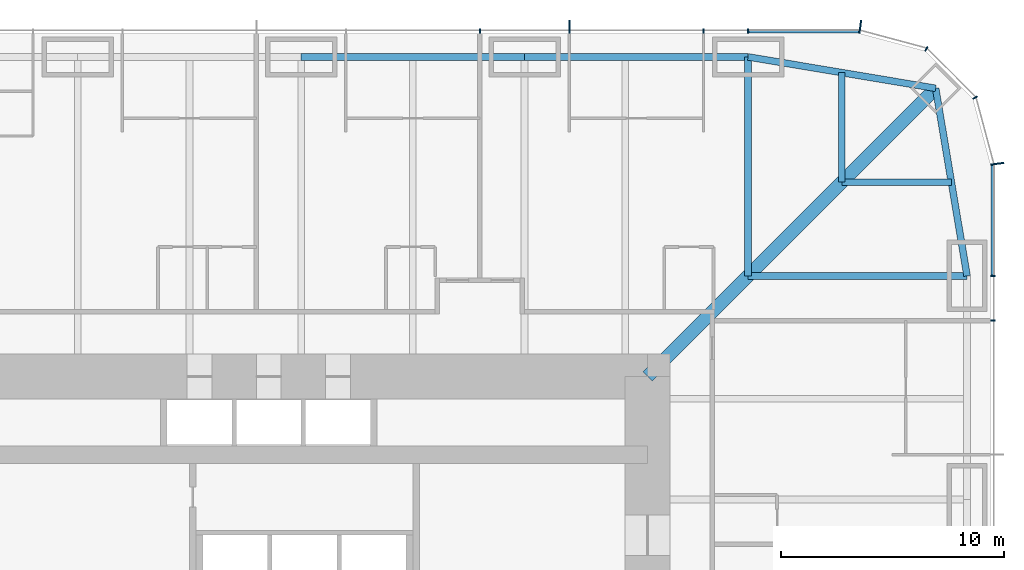
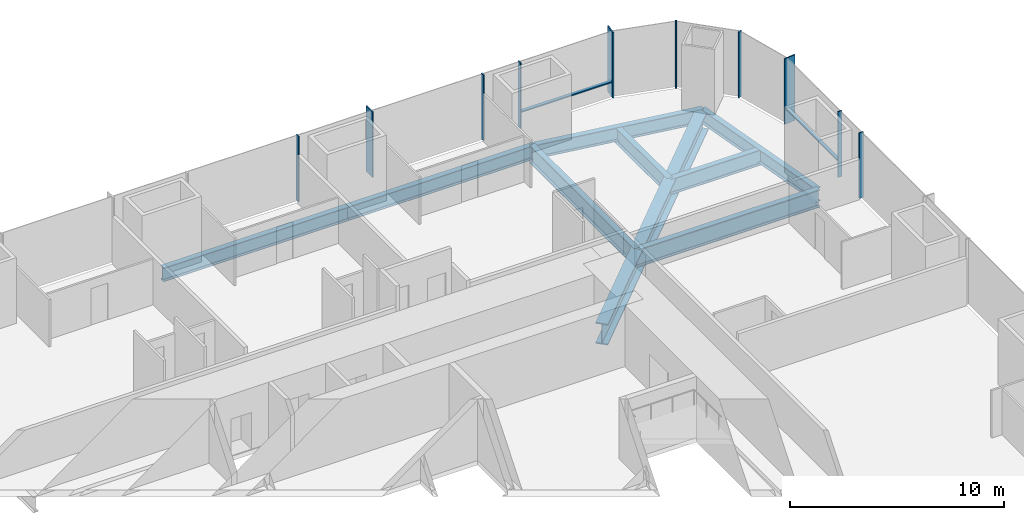
# One storey, part 9 of 17: 12 members, 9 beams, 3 elements without a shape of their own.
"""IFC4 building model written with IfcOpenShell, lengths in metres."""

from ifc_helpers import new_model, si_unit, direction, frame, origin, origin_2d, place, context, subcontext, project, spatial, rectangle, i_section, extrude, material, material_profile, profile_set, type_object, element, aggregate, save


model = new_model("IFC4")

# Units and contexts
model_context = context("Model", 3, precision=1e-05, world=origin(), true_north=direction((0.0, 1.0)))
body_context = subcontext(model_context, "Body", "Model", "MODEL_VIEW")
ifc_project = project(units=[si_unit("LENGTHUNIT", "METRE"), si_unit("AREAUNIT", "SQUARE_METRE"), si_unit("VOLUMEUNIT", "CUBIC_METRE"), si_unit("PLANEANGLEUNIT", "RADIAN"), si_unit("MASSUNIT", "GRAM", prefix="KILO")], contexts=[model_context])

# Site, building, storey
site_placement = place(None, origin())
site = spatial("IfcSite", under=ifc_project, at=site_placement, CompositionType="ELEMENT")
building_placement = place(site_placement, origin())
building = spatial("IfcBuilding", under=site, at=building_placement, Name="Khuree Lantern Residences", CompositionType="ELEMENT")
storey_placement = place(building_placement, frame((0.0, 0.0, 88.5)))
storey = spatial("IfcBuildingStorey", under=building, at=storey_placement, Name="L22", CompositionType="ELEMENT", Elevation=88.5)

# Beams
ifc_material_1 = material(Name="Steel S355", Category="steel")
ifc_material_profile_1 = material_profile(ifc_material_1, i_section(OverallWidth=0.300048828125, OverallDepth=0.889892578125, WebThickness=0.01611328125, FlangeThickness=0.030029296875, FilletRadius=0.030029296875, at=origin_2d()), Name="HE 900 A")
ifc_profile_set_1 = profile_set([ifc_material_profile_1], Name="Steel S355")
beam_type_1 = type_object("IfcBeamType", Name="B-15 SECONDARY BEAM HE 900 A", PredefinedType="BEAM", material=ifc_profile_set_1)
for number, where, z_axis, x_axis, name in (
    (1, (24.197021484375, 29.09716796875, -0.695068359375), (0.0, -1.0, 0.0), (1.0, 0.0, 0.0), "Secondary beam N5"),
    (2, (29.09716796875, 24.197021484375, -0.695068359375), (-1.0, 0.0, 0.0), (0.0, -1.0, 0.0), "Secondary beam E1"),
):
    element("IfcBeam", number, at=place(storey_placement, frame(where, z_axis=z_axis, x_axis=x_axis)), inside=storey, type_object=beam_type_1, Name=name, PredefinedType="BEAM", context=body_context, shape_type="SweptSolid", body=[
        extrude(i_section(OverallWidth=0.300048828125, OverallDepth=0.889892578125, WebThickness=0.01611328125, FlangeThickness=0.030029296875, FilletRadius=0.030029296875, at=origin_2d()), origin(), (0.0, 0.0, 1.0), 4.900146484375),
    ])
ifc_material_profile_2 = material_profile(ifc_material_1, i_section(OverallWidth=0.300048828125, OverallDepth=0.7900390625, WebThickness=0.014892578125, FlangeThickness=0.028076171875, FilletRadius=0.030029296875, at=origin_2d()), Name="HE 800 A")
ifc_profile_set_2 = profile_set([ifc_material_profile_2], Name="Steel S355")
beam_type_2 = type_object("IfcBeamType", Name="E-15 SPANDREL BEAM HE 800 A", PredefinedType="SPANDREL", material=ifc_profile_set_2)
for number, where, z_axis, x_axis, name in (
    (3, (0.0, 29.800048828125, -0.64501953125), (1.0, 0.0, 0.0), (0.0, 1.0, 0.0), "Spandrel beam N3"),
    (4, (10.0, 29.800048828125, -0.64501953125), (1.0, 0.0, 0.0), (0.0, 1.0, 0.0), "Spandrel beam N4"),
):
    element("IfcBeam", number, at=place(storey_placement, frame(where, z_axis=z_axis, x_axis=x_axis)), inside=storey, type_object=beam_type_2, Name=name, PredefinedType="SPANDREL", context=body_context, shape_type="SweptSolid", body=[
        extrude(i_section(OverallWidth=0.300048828125, OverallDepth=0.7900390625, WebThickness=0.014892578125, FlangeThickness=0.028076171875, FilletRadius=0.030029296875, at=origin_2d()), origin(), (0.0, 0.0, 1.0), 10.0),
    ])
for number, where, z_axis, x_axis, name in (
    (5, (20.0, 29.800048828125, -0.64501953125), (0.986260251158, -0.165199022349, 0.0), (0.165199022349, 0.986260251158, 0.0), "Spandrel beam N5"),
    (6, (28.39404296875, 28.39404296875, -0.64501953125), (0.165199022349, -0.986260251158, 0.0), (0.986260251158, 0.165199022349, 0.0), "Spandrel beam E1"),
):
    element("IfcBeam", number, at=place(storey_placement, frame(where, z_axis=z_axis, x_axis=x_axis)), inside=storey, type_object=beam_type_2, Name=name, PredefinedType="SPANDREL", context=body_context, shape_type="SweptSolid", body=[
        extrude(i_section(OverallWidth=0.300048828125, OverallDepth=0.7900390625, WebThickness=0.014892578125, FlangeThickness=0.028076171875, FilletRadius=0.030029296875, at=origin_2d()), origin(), (0.0, 0.0, 1.0), 8.510986328125),
    ])

# Curtain wall, member
ifc_material_2 = material(Name="Bronze anodised aluminium", Category="aluminium")
curtain_wall_type_1 = type_object("IfcCurtainWallType", Name="CW-T2 TOWER CORNER CURTAIN WALL", PredefinedType="USERDEFINED", material=ifc_material_2)
curtain_wall_1_placement = place(storey_placement, origin())
curtain_wall_1 = element("IfcCurtainWall", 7, at=curtain_wall_1_placement, inside=storey, type_object=curtain_wall_type_1, Name="L22 NORTH-EAST CORNER CURTAIN WALL", ObjectType="Faceted corner curtain wall", PredefinedType="USERDEFINED")
ifc_material_profile_3 = material_profile(ifc_material_2, rectangle(XDim=0.06494140625, YDim=0.60009765625, at=origin_2d()), Name="F1 65X600")
ifc_profile_set_3 = profile_set([ifc_material_profile_3], Name="Bronze anodised aluminium")
member_type_1 = type_object("IfcMemberType", Name="F1 BRONZE FIN MULLION TOWER 65X600", PredefinedType="MULLION", material=ifc_profile_set_3)
member_1_placement = place(storey_placement, frame((31.150146484375, 25.019775390625, 0.0), z_axis=(0.0, 0.0, 1.0), x_axis=(-0.130526257387, 0.991444852794, 0.0)))
member_1 = element("IfcMember", 8, at=member_1_placement, type_object=member_type_1, Name="L22 NORTH-EAST CORNER FIN MULLION 15", PredefinedType="MULLION", context=body_context, shape_type="SweptSolid", body=[
    extrude(rectangle(XDim=0.06494140625, YDim=0.60009765625, at=origin_2d()), origin(), (0.0, 0.0, 1.0), 3.75),
])

# Curtain wall, members
curtain_wall_type_2 = type_object("IfcCurtainWallType", Name="CW-T1 TOWER FACE CURTAIN WALL", PredefinedType="USERDEFINED", material=ifc_material_2)
curtain_wall_2_placement = place(storey_placement, origin())
curtain_wall_2 = element("IfcCurtainWall", 9, at=curtain_wall_2_placement, inside=storey, type_object=curtain_wall_type_2, Name="L22 NORTH FACE CURTAIN WALL", ObjectType="Stick-built curtain wall", PredefinedType="USERDEFINED")
member_2_placement = place(storey_placement, frame((25.019775390625, 31.150146484375, 0.0), z_axis=(0.0, 0.0, 1.0), x_axis=(-0.991444852794, 0.130526257387, 0.0)))
member_2 = element("IfcMember", 10, at=member_2_placement, type_object=member_type_1, Name="L22 NORTH FACE FIN MULLION 18", PredefinedType="MULLION", context=body_context, shape_type="SweptSolid", body=[
    extrude(rectangle(XDim=0.06494140625, YDim=0.60009765625, at=origin_2d()), origin(), (0.0, 0.0, 1.0), 3.75),
])
member_3_placement = place(storey_placement, frame((12.0, 31.14990234375, 0.0), z_axis=(0.0, 0.0, 1.0), x_axis=(-1.0, 0.0, 0.0)))
member_3 = element("IfcMember", 11, at=member_3_placement, type_object=member_type_1, Name="L22 NORTH FACE FIN MULLION 21", PredefinedType="MULLION", context=body_context, shape_type="SweptSolid", body=[
    extrude(rectangle(XDim=0.06494140625, YDim=0.60009765625, at=origin_2d()), origin(), (0.0, 0.0, 1.0), 3.75),
])

# Beams
ifc_material_profile_4 = material_profile(ifc_material_1, i_section(OverallWidth=0.302001953125, OverallDepth=1.008056640625, WebThickness=0.02099609375, FlangeThickness=0.0400390625, FilletRadius=0.030029296875, at=origin_2d()), Name="HE 1000 M")
ifc_profile_set_4 = profile_set([ifc_material_profile_4], Name="Steel S355")
beam_type_3 = type_object("IfcBeamType", Name="G-15 GIRDER HE 1000 M", PredefinedType="BEAM", material=ifc_profile_set_4)
for number, where, z_axis, x_axis, name in (
    (12, (20.0, 29.800048828125, -0.75390625), (0.0, -1.0, 0.0), (1.0, 0.0, 0.0), "Girder N5"),
    (13, (29.800048828125, 20.0, -0.75390625), (-1.0, 0.0, 0.0), (0.0, -1.0, 0.0), "Girder E1"),
):
    element("IfcBeam", number, at=place(storey_placement, frame(where, z_axis=z_axis, x_axis=x_axis)), inside=storey, type_object=beam_type_3, Name=name, PredefinedType="BEAM", context=body_context, shape_type="SweptSolid", body=[
        extrude(i_section(OverallWidth=0.302001953125, OverallDepth=1.008056640625, WebThickness=0.02099609375, FlangeThickness=0.0400390625, FilletRadius=0.030029296875, at=origin_2d()), origin(), (0.0, 0.0, 1.0), 9.800048828125),
    ])
ifc_material_profile_5 = material_profile(ifc_material_1, i_section(OverallWidth=0.60009765625, OverallDepth=1.199951171875, WebThickness=0.030029296875, FlangeThickness=0.06005859375, at=origin_2d()), Name="WELDED I 1200X600X30X60")
ifc_profile_set_5 = profile_set([ifc_material_profile_5], Name="Steel S355")
beam_type_4 = type_object("IfcBeamType", Name="GD-15 CORNER GIRDER WELDED I 1200X600X30X60", PredefinedType="BEAM", material=ifc_profile_set_5)
beam_placement = place(storey_placement, frame((28.39404296875, 28.39404296875, -0.85009765625), z_axis=(-0.707106781187, -0.707106781187, 0.0), x_axis=(0.707106781187, -0.707106781187, 0.0)))
element("IfcBeam", 14, at=beam_placement, inside=storey, type_object=beam_type_4, Name="Corner girder NE", PredefinedType="BEAM", context=body_context, shape_type="SweptSolid", body=[
    extrude(i_section(OverallWidth=0.60009765625, OverallDepth=1.199951171875, WebThickness=0.030029296875, FlangeThickness=0.06005859375, at=origin_2d()), origin(), (0.0, 0.0, 1.0), 18.23486328125),
])

# Curtain wall, members
curtain_wall_3_placement = place(storey_placement, origin())
curtain_wall_3 = element("IfcCurtainWall", 15, at=curtain_wall_3_placement, inside=storey, type_object=curtain_wall_type_2, Name="L22 EAST FACE CURTAIN WALL", ObjectType="Stick-built curtain wall", PredefinedType="USERDEFINED")
ifc_material_profile_6 = material_profile(ifc_material_2, rectangle(XDim=0.06494140625, YDim=0.219970703125, at=origin_2d()), Name="M1 65X220")
ifc_profile_set_6 = profile_set([ifc_material_profile_6], Name="Bronze anodised aluminium")
member_type_2 = type_object("IfcMemberType", Name="M1 BRONZE MULLION TOWER 65X220", PredefinedType="MULLION", material=ifc_profile_set_6)
member_4_placement = place(storey_placement, frame((30.9599609375, 18.0, 0.0), z_axis=(0.0, 0.0, 1.0), x_axis=(0.0, 1.0, 0.0)))
member_4 = element("IfcMember", 16, at=member_4_placement, type_object=member_type_2, Name="L22 EAST FACE MULLION 13", PredefinedType="MULLION", context=body_context, shape_type="SweptSolid", body=[
    extrude(rectangle(XDim=0.06494140625, YDim=0.219970703125, at=origin_2d()), origin(), (0.0, 0.0, 1.0), 3.75),
])
member_5_placement = place(storey_placement, frame((30.9599609375, 20.0, 0.0), z_axis=(0.0, 0.0, 1.0), x_axis=(0.0, 1.0, 0.0)))
member_5 = element("IfcMember", 17, at=member_5_placement, type_object=member_type_2, Name="L22 EAST FACE MULLION 14", PredefinedType="MULLION", context=body_context, shape_type="SweptSolid", body=[
    extrude(rectangle(XDim=0.06494140625, YDim=0.219970703125, at=origin_2d()), origin(), (0.0, 0.0, 1.0), 3.75),
])

# Member
member_6_placement = place(storey_placement, frame((30.16162109375, 27.97998046875, 0.0), z_axis=(0.0, 0.0, 1.0), x_axis=(-0.500000056923, 0.86602537092, 0.0)))
member_6 = element("IfcMember", 18, at=member_6_placement, type_object=member_type_2, Name="L22 NORTH-EAST CORNER MULLION 16", PredefinedType="MULLION", context=body_context, shape_type="SweptSolid", body=[
    extrude(rectangle(XDim=0.06494140625, YDim=0.219970703125, at=origin_2d()), origin(), (0.0, 0.0, 1.0), 3.75),
])

member_7_placement = place(storey_placement, frame((27.97998046875, 30.16162109375, 0.0), z_axis=(0.0, 0.0, 1.0), x_axis=(-0.86602537092, 0.500000056923, 0.0)))
member_7 = element("IfcMember", 19, at=member_7_placement, type_object=member_type_2, Name="L22 NORTH-EAST CORNER MULLION 17", PredefinedType="MULLION", context=body_context, shape_type="SweptSolid", body=[
    extrude(rectangle(XDim=0.06494140625, YDim=0.219970703125, at=origin_2d()), origin(), (0.0, 0.0, 1.0), 3.75),
])

aggregate(curtain_wall_1, [member_1, member_6, member_7])

member_8_placement = place(storey_placement, frame((20.0, 30.9599609375, 0.0), z_axis=(0.0, 0.0, 1.0), x_axis=(-1.0, 0.0, 0.0)))
member_8 = element("IfcMember", 20, at=member_8_placement, type_object=member_type_2, Name="L22 NORTH FACE MULLION 19", PredefinedType="MULLION", context=body_context, shape_type="SweptSolid", body=[
    extrude(rectangle(XDim=0.06494140625, YDim=0.219970703125, at=origin_2d()), origin(), (0.0, 0.0, 1.0), 3.75),
])

member_9_placement = place(storey_placement, frame((18.0, 30.9599609375, 0.0), z_axis=(0.0, 0.0, 1.0), x_axis=(-1.0, 0.0, 0.0)))
member_9 = element("IfcMember", 21, at=member_9_placement, type_object=member_type_2, Name="L22 NORTH FACE MULLION 20", PredefinedType="MULLION", context=body_context, shape_type="SweptSolid", body=[
    extrude(rectangle(XDim=0.06494140625, YDim=0.219970703125, at=origin_2d()), origin(), (0.0, 0.0, 1.0), 3.75),
])

member_10_placement = place(storey_placement, frame((8.0, 30.9599609375, 0.0), z_axis=(0.0, 0.0, 1.0), x_axis=(-1.0, 0.0, 0.0)))
member_10 = element("IfcMember", 22, at=member_10_placement, type_object=member_type_2, Name="L22 NORTH FACE MULLION 22", PredefinedType="MULLION", context=body_context, shape_type="SweptSolid", body=[
    extrude(rectangle(XDim=0.06494140625, YDim=0.219970703125, at=origin_2d()), origin(), (0.0, 0.0, 1.0), 3.75),
])

ifc_material_profile_7 = material_profile(ifc_material_2, rectangle(XDim=0.179931640625, YDim=0.06494140625, at=origin_2d()), Name="T1 180X65")
ifc_profile_set_7 = profile_set([ifc_material_profile_7], Name="Bronze anodised aluminium")
member_type_3 = type_object("IfcMemberType", Name="TRANSOM T1 TOWER 180X65", PredefinedType="USERDEFINED", material=ifc_profile_set_7)
member_11_placement = place(storey_placement, frame((30.969970703125, 20.032470703125, 0.89990234375), z_axis=(0.0, 1.0, 0.0), x_axis=(-1.0, 0.0, 0.0)))
member_11 = element("IfcMember", 23, at=member_11_placement, type_object=member_type_3, Name="L22 EAST FACE TRANSOM 14.1", ObjectType="Transom", PredefinedType="USERDEFINED", context=body_context, shape_type="SweptSolid", body=[
    extrude(rectangle(XDim=0.179931640625, YDim=0.06494140625, at=origin_2d()), origin(), (0.0, 0.0, 1.0), 4.9189453125),
])

aggregate(curtain_wall_3, [member_4, member_5, member_11])

member_12_placement = place(storey_placement, frame((24.951416015625, 30.969970703125, 0.89990234375), z_axis=(-1.0, 0.0, 0.0), x_axis=(0.0, -1.0, 0.0)))
member_12 = element("IfcMember", 24, at=member_12_placement, type_object=member_type_3, Name="L22 NORTH FACE TRANSOM 18.1", ObjectType="Transom", PredefinedType="USERDEFINED", context=body_context, shape_type="SweptSolid", body=[
    extrude(rectangle(XDim=0.179931640625, YDim=0.06494140625, at=origin_2d()), origin(), (0.0, 0.0, 1.0), 4.9189453125),
])

aggregate(curtain_wall_2, [member_2, member_8, member_9, member_3, member_10, member_12])

save(model, "model.ifc")
